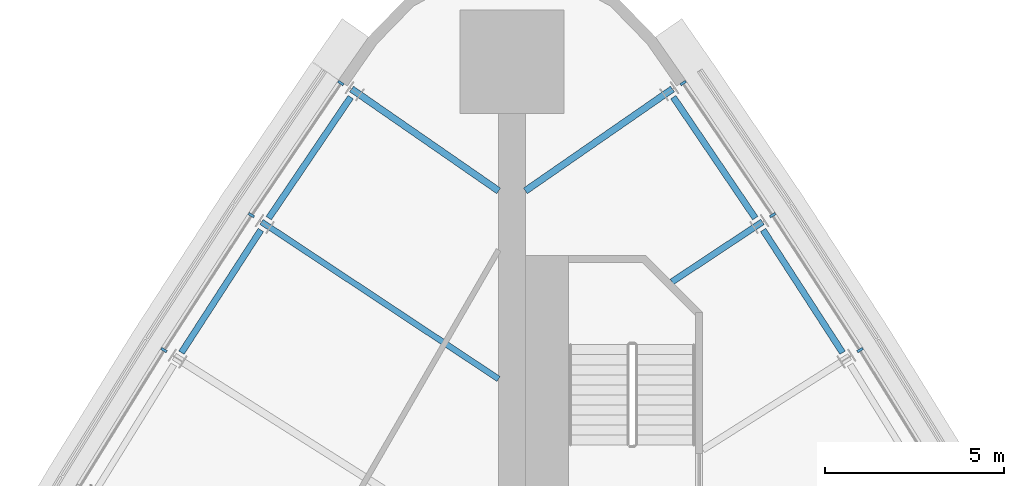
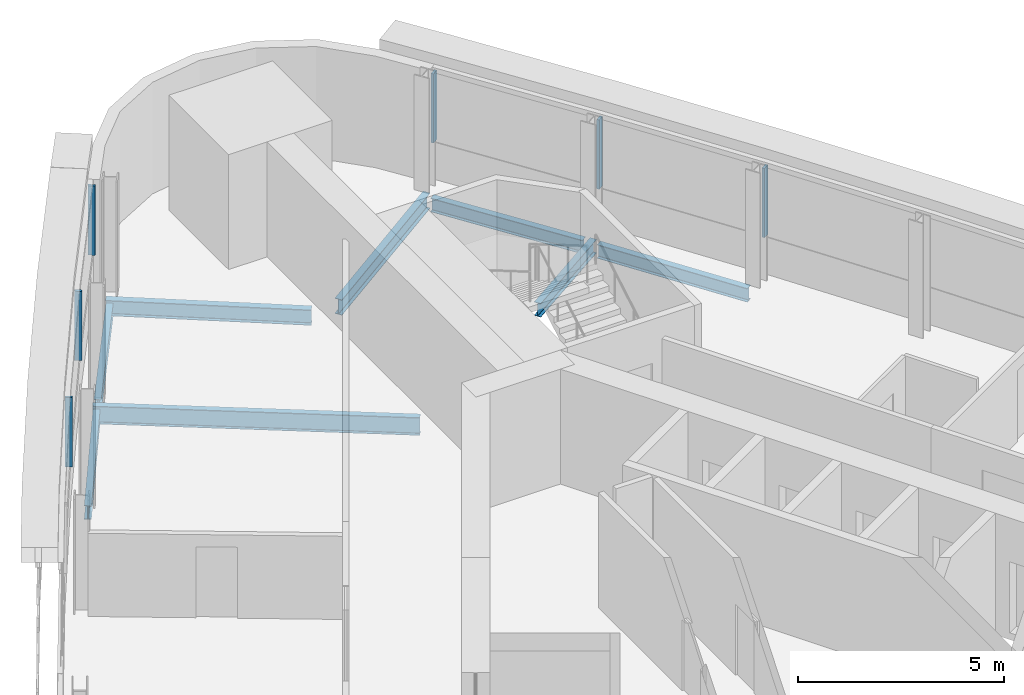
# One storey, part 7 of 13: 8 beams, 6 members, 2 elements without a shape of their own.
"""IFC4 building model written with IfcOpenShell, lengths in metres."""

from ifc_helpers import new_model, si_unit, direction, frame, origin, origin_2d, place, context, subcontext, project, spatial, rectangle, i_section, extrude, material, material_profile, profile_set, type_object, element, aggregate, save


model = new_model("IFC4")

# Units and contexts
model_context = context("Model", 3, precision=1e-05, world=origin(), true_north=direction((0.0, 1.0)))
body_context = subcontext(model_context, "Body", "Model", "MODEL_VIEW")
ifc_project = project(units=[si_unit("LENGTHUNIT", "METRE"), si_unit("AREAUNIT", "SQUARE_METRE"), si_unit("VOLUMEUNIT", "CUBIC_METRE"), si_unit("PLANEANGLEUNIT", "RADIAN"), si_unit("MASSUNIT", "GRAM", prefix="KILO")], contexts=[model_context])

# Site, building, storey
site_placement = place(None, origin())
site = spatial("IfcSite", under=ifc_project, at=site_placement, CompositionType="ELEMENT")
building_placement = place(site_placement, origin())
building = spatial("IfcBuilding", under=site, at=building_placement, Name="Noor Cloister Tower", CompositionType="ELEMENT")
storey_placement = place(building_placement, frame((0.0, 0.0, 147.300048828125)))
storey = spatial("IfcBuildingStorey", under=building, at=storey_placement, Name="L37", CompositionType="ELEMENT", Elevation=147.300048828125)

# Curtain wall, members
ifc_material_1 = material(Name="Aluminium 6063-T6 anodised", Category="aluminium")
curtain_wall_type = type_object("IfcCurtainWallType", Name="Ribbon curtain wall, upper tower CW5", PredefinedType="NOTDEFINED", material=ifc_material_1)
curtain_wall_1_placement = place(storey_placement, origin())
curtain_wall_1 = element("IfcCurtainWall", 1, at=curtain_wall_1_placement, inside=storey, type_object=curtain_wall_type, Name="CW5 L37 NW run 1", PredefinedType="NOTDEFINED")
ifc_material_2 = material(Name="Aluminium 6063-T6 anodised", Category="aluminium")
ifc_material_profile_1 = material_profile(ifc_material_2, rectangle(XDim=0.179931640625, YDim=0.070068359375, at=origin_2d()), Name="180 x 70 mullion")
ifc_profile_set_1 = profile_set([ifc_material_profile_1], Name="Aluminium 6063-T6 anodised")
member_type = type_object("IfcMemberType", Name="Mullion CW5 70 x 180", PredefinedType="MULLION", material=ifc_profile_set_1)
member_1_placement = place(storey_placement, frame((-4.790283203125, 23.478271484375, 1.099853515625), z_axis=(0.0, 0.0, 1.0), x_axis=(0.827946302722, -0.560807382092, 0.0)))
member_1 = element("IfcMember", 2, at=member_1_placement, type_object=member_type, Name="CW5 mullion 1", PredefinedType="MULLION", context=body_context, shape_type="SweptSolid", body=[
    extrude(rectangle(XDim=0.179931640625, YDim=0.070068359375, at=origin_2d()), origin(), (0.0, 0.0, 1.0), 2.050048828125),
])
member_2_placement = place(storey_placement, frame((-7.29345703125, 19.782470703125, 1.099853515625), z_axis=(0.0, 0.0, 1.0), x_axis=(0.833651922579, -0.552290206305, 0.0)))
member_2 = element("IfcMember", 3, at=member_2_placement, type_object=member_type, Name="CW5 mullion 2", PredefinedType="MULLION", context=body_context, shape_type="SweptSolid", body=[
    extrude(rectangle(XDim=0.179931640625, YDim=0.070068359375, at=origin_2d()), origin(), (0.0, 0.0, 1.0), 2.050048828125),
])
member_3_placement = place(storey_placement, frame((-9.739013671875, 16.007568359375, 1.099853515625), z_axis=(0.0, 0.0, 1.0), x_axis=(0.844799730459, -0.53508262485, 0.0)))
member_3 = element("IfcMember", 4, at=member_3_placement, type_object=member_type, Name="CW5 mullion 3", PredefinedType="MULLION", context=body_context, shape_type="SweptSolid", body=[
    extrude(rectangle(XDim=0.179931640625, YDim=0.070068359375, at=origin_2d()), origin(), (0.0, 0.0, 1.0), 2.050048828125),
])
aggregate(curtain_wall_1, [member_1, member_2, member_3])

curtain_wall_2_placement = place(storey_placement, origin())
curtain_wall_2 = element("IfcCurtainWall", 5, at=curtain_wall_2_placement, inside=storey, type_object=curtain_wall_type, Name="CW5 L37 NE run 3", PredefinedType="NOTDEFINED")
member_4_placement = place(storey_placement, frame((9.739013671875, 16.007568359375, 1.099853515625), z_axis=(0.0, 0.0, 1.0), x_axis=(-0.844799730459, -0.53508262485, 0.0)))
member_4 = element("IfcMember", 6, at=member_4_placement, type_object=member_type, Name="CW5 mullion 7", PredefinedType="MULLION", context=body_context, shape_type="SweptSolid", body=[
    extrude(rectangle(XDim=0.179931640625, YDim=0.070068359375, at=origin_2d()), origin(), (0.0, 0.0, 1.0), 2.050048828125),
])
member_5_placement = place(storey_placement, frame((7.29345703125, 19.782470703125, 1.099853515625), z_axis=(0.0, 0.0, 1.0), x_axis=(-0.833651922579, -0.552290206305, 0.0)))
member_5 = element("IfcMember", 7, at=member_5_placement, type_object=member_type, Name="CW5 mullion 8", PredefinedType="MULLION", context=body_context, shape_type="SweptSolid", body=[
    extrude(rectangle(XDim=0.179931640625, YDim=0.070068359375, at=origin_2d()), origin(), (0.0, 0.0, 1.0), 2.050048828125),
])
member_6_placement = place(storey_placement, frame((4.790283203125, 23.478271484375, 1.099853515625), z_axis=(0.0, 0.0, 1.0), x_axis=(-0.827946302722, -0.560807382092, 0.0)))
member_6 = element("IfcMember", 8, at=member_6_placement, type_object=member_type, Name="CW5 mullion 9", PredefinedType="MULLION", context=body_context, shape_type="SweptSolid", body=[
    extrude(rectangle(XDim=0.179931640625, YDim=0.070068359375, at=origin_2d()), origin(), (0.0, 0.0, 1.0), 2.050048828125),
])
aggregate(curtain_wall_2, [member_4, member_5, member_6])

# Beams
ifc_material_3 = material(Name="Steel ASTM A992 Gr 50", Category="steel")
ifc_material_profile_2 = material_profile(ifc_material_3, i_section(OverallWidth=0.177978515625, OverallDepth=0.406005859375, WebThickness=0.0078125, FlangeThickness=0.0126953125, FilletRadius=0.01025390625, at=origin_2d()), Name="W410x60")
ifc_profile_set_2 = profile_set([ifc_material_profile_2], Name="Steel ASTM A992 Gr 50")
beam_type_1 = type_object("IfcBeamType", Name="Radial beam W410x60", PredefinedType="BEAM", material=ifc_profile_set_2)
beam_1_placement = place(storey_placement, frame((7.007568359375, 19.593017578125, -0.403076171875), z_axis=(-0.833667112597, -0.552267277117, 0.0), x_axis=(0.552267277117, -0.833667112597, 0.0)))
element("IfcBeam", 9, at=beam_1_placement, inside=storey, type_object=beam_type_1, Name="Radial beam NE 08 L37", PredefinedType="BEAM", context=body_context, shape_type="SweptSolid", body=[
    extrude(i_section(OverallWidth=0.177978515625, OverallDepth=0.406005859375, WebThickness=0.0078125, FlangeThickness=0.0126953125, FilletRadius=0.01025390625, at=origin_2d()), origin(), (0.0, 0.0, 1.0), 3.03662109375),
])
ifc_material_4 = material(Name="Steel ASTM A992 Gr 50", Category="steel")
ifc_material_profile_3 = material_profile(ifc_material_4, i_section(OverallWidth=0.19091796875, OverallDepth=0.45703125, WebThickness=0.009033203125, FlangeThickness=0.014404296875, FilletRadius=0.01025390625, at=origin_2d()), Name="W460x74")
ifc_profile_set_3 = profile_set([ifc_material_profile_3], Name="Steel ASTM A992 Gr 50")
beam_type_2 = type_object("IfcBeamType", Name="Radial beam W460x74", PredefinedType="BEAM", material=ifc_profile_set_3)
for number, where, z_axis, x_axis, name in (
    (10, (-4.489013671875, 23.311279296875, -0.428466796875), (0.822148278839, -0.56927340321, 0.0), (0.56927340321, 0.822148278839, 0.0), "Radial beam NW 01 L37"),
    (11, (4.489013671875, 23.311279296875, -0.428466796875), (-0.822148278839, -0.56927340321, 0.0), (0.56927340321, -0.822148278839, 0.0), "Radial beam NE 09 L37"),
):
    element("IfcBeam", number, at=place(storey_placement, frame(where, z_axis=z_axis, x_axis=x_axis)), inside=storey, type_object=beam_type_2, Name=name, PredefinedType="BEAM", context=body_context, shape_type="SweptSolid", body=[
        extrude(i_section(OverallWidth=0.19091796875, OverallDepth=0.45703125, WebThickness=0.009033203125, FlangeThickness=0.014404296875, FilletRadius=0.01025390625, at=origin_2d()), origin(), (0.0, 0.0, 1.0), 5.00390625),
    ])
ifc_material_5 = material(Name="Steel ASTM A992 Gr 50", Category="steel")
ifc_material_profile_4 = material_profile(ifc_material_5, i_section(OverallWidth=0.166015625, OverallDepth=0.528076171875, WebThickness=0.009765625, FlangeThickness=0.013671875, FilletRadius=0.0126953125, at=origin_2d()), Name="W530x74")
ifc_profile_set_4 = profile_set([ifc_material_profile_4], Name="Steel ASTM A992 Gr 50")
beam_type_3 = type_object("IfcBeamType", Name="Radial beam W530x74", PredefinedType="BEAM", material=ifc_profile_set_4)
beam_2_placement = place(storey_placement, frame((-7.007568359375, 19.593017578125, -0.464111328125), z_axis=(0.833651934987, -0.552290187576, 0.0), x_axis=(0.552290187576, 0.833651934987, 0.0)))
element("IfcBeam", 12, at=beam_2_placement, inside=storey, type_object=beam_type_3, Name="Radial beam NW 02 L37", PredefinedType="BEAM", context=body_context, shape_type="SweptSolid", body=[
    extrude(i_section(OverallWidth=0.166015625, OverallDepth=0.528076171875, WebThickness=0.009765625, FlangeThickness=0.013671875, FilletRadius=0.0126953125, at=origin_2d()), origin(), (0.0, 0.0, 1.0), 7.9560546875),
])
ifc_material_6 = material(Name="Steel ASTM A992 Gr 50", Category="steel")
ifc_material_profile_5 = material_profile(ifc_material_6, i_section(OverallWidth=0.177978515625, OverallDepth=0.406005859375, WebThickness=0.0078125, FlangeThickness=0.0126953125, FilletRadius=0.01025390625, at=origin_2d()), Name="W410x60")
ifc_profile_set_5 = profile_set([ifc_material_profile_5], Name="Steel ASTM A992 Gr 50")
beam_type_4 = type_object("IfcBeamType", Name="Spandrel beam W410x60", PredefinedType="SPANDREL", material=ifc_profile_set_5)
beam_3_placement = place(storey_placement, frame((-4.512939453125, 23.085205078125, -0.403076171875), z_axis=(-0.560842865351, -0.827922267115, 0.0), x_axis=(0.827922267115, -0.560842865351, 0.0)))
element("IfcBeam", 13, at=beam_3_placement, inside=storey, type_object=beam_type_4, Name="Spandrel beam NW 01 L37", PredefinedType="SPANDREL", context=body_context, shape_type="SweptSolid", body=[
    extrude(i_section(OverallWidth=0.177978515625, OverallDepth=0.406005859375, WebThickness=0.0078125, FlangeThickness=0.0126953125, FilletRadius=0.01025390625, at=origin_2d()), origin(), (0.0, 0.0, 1.0), 4.08984375),
])
for number, where, z_axis, x_axis, name in (
    (14, (-7.02685546875, 19.366455078125, -0.403076171875), (-0.54371406046, -0.839270528767, 0.0), (0.839270528767, -0.54371406046, 0.0), "Spandrel beam NW 02 L37"),
    (15, (9.25048828125, 15.93408203125, -0.403076171875), (-0.54371406046, 0.839270528767, 0.0), (-0.839270528767, -0.54371406046, 0.0), "Spandrel beam NE 07 L37"),
):
    element("IfcBeam", number, at=place(storey_placement, frame(where, z_axis=z_axis, x_axis=x_axis)), inside=storey, type_object=beam_type_4, Name=name, PredefinedType="SPANDREL", context=body_context, shape_type="SweptSolid", body=[
        extrude(i_section(OverallWidth=0.177978515625, OverallDepth=0.406005859375, WebThickness=0.0078125, FlangeThickness=0.0126953125, FilletRadius=0.01025390625, at=origin_2d()), origin(), (0.0, 0.0, 1.0), 4.089599609375),
    ])
beam_4_placement = place(storey_placement, frame((6.806640625, 19.69921875, -0.403076171875), z_axis=(-0.560842865351, 0.827922267115, 0.0), x_axis=(-0.827922267115, -0.560842865351, 0.0)))
element("IfcBeam", 16, at=beam_4_placement, inside=storey, type_object=beam_type_4, Name="Spandrel beam NE 08 L37", PredefinedType="SPANDREL", context=body_context, shape_type="SweptSolid", body=[
    extrude(i_section(OverallWidth=0.177978515625, OverallDepth=0.406005859375, WebThickness=0.0078125, FlangeThickness=0.0126953125, FilletRadius=0.01025390625, at=origin_2d()), origin(), (0.0, 0.0, 1.0), 4.08984375),
])

save(model, "model.ifc")
